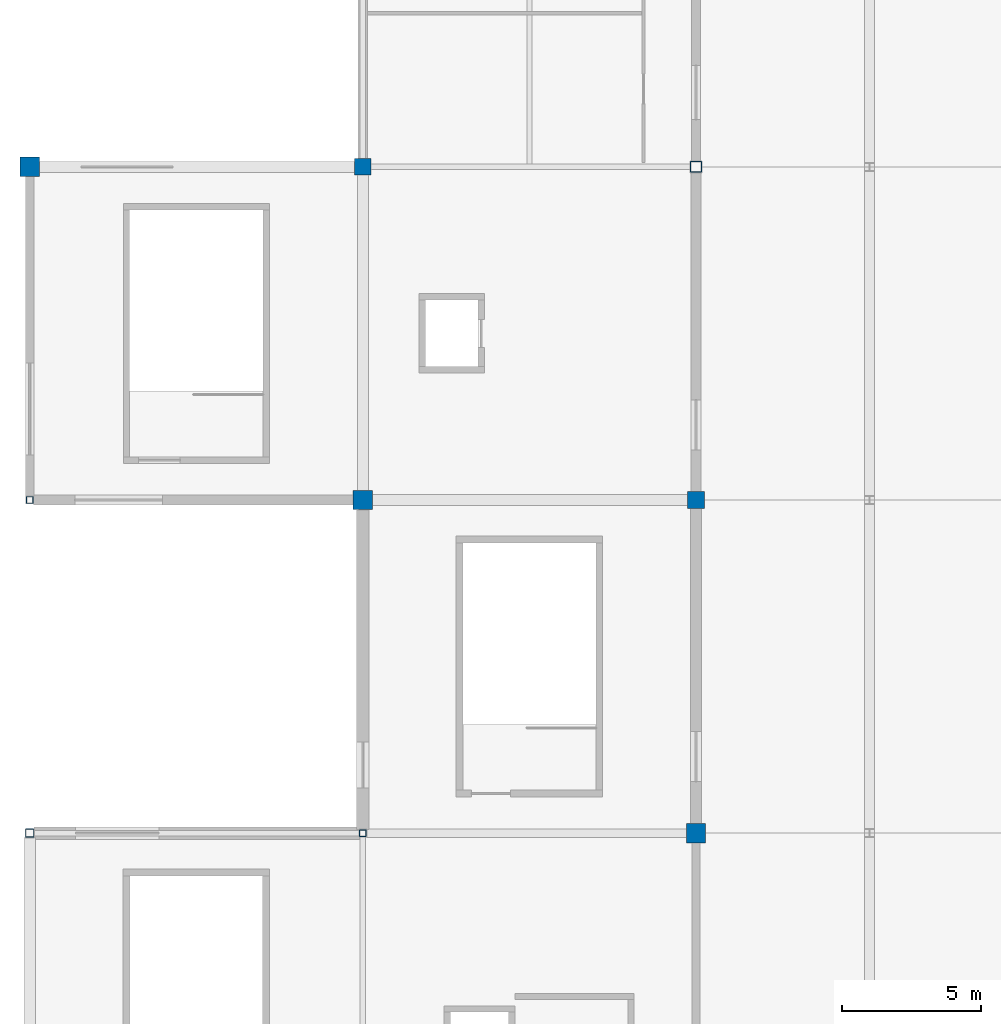
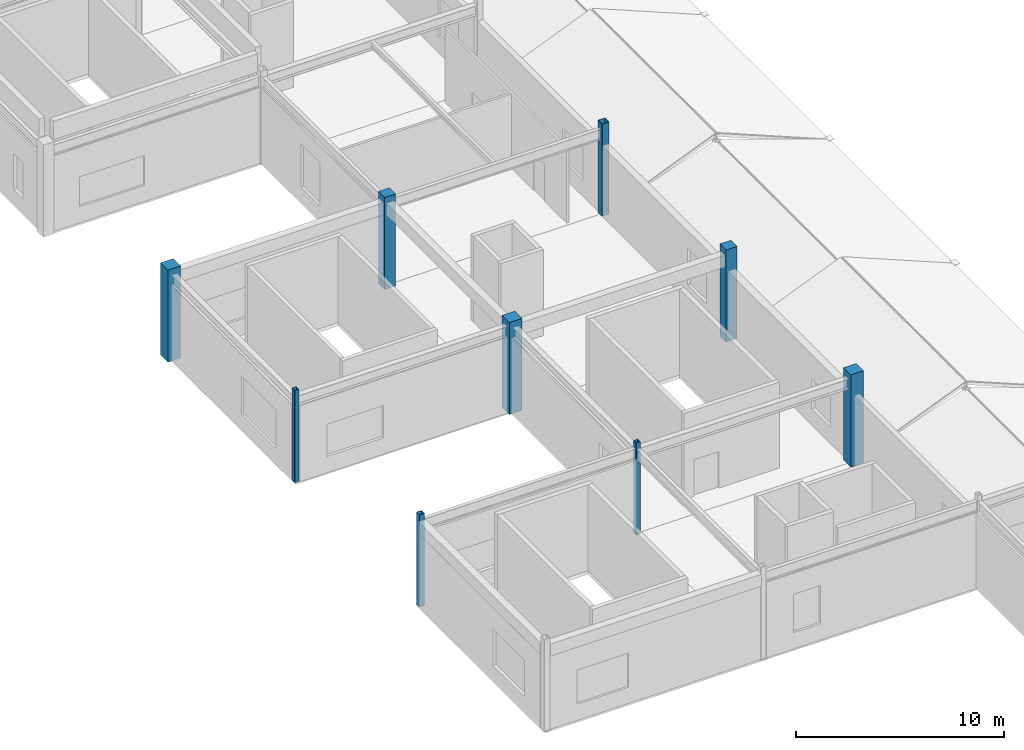
# One storey, part 3 of 76: 9 columns.
"""IFC4 building model written with IfcOpenShell, lengths in metres."""

import ifcopenshell
import ifcopenshell.guid

model = None  # the IFC model being written
_history = None  # IfcOwnerHistory: only IFC2X3 demands one
_inside = {}  # id of a spatial element -> (the spatial element, [elements in it])
_under = {}  # id of a project, library or spatial element -> (it, [spatial elements below it])
_declared = {}  # id of a project -> (the project, [libraries it declares])
_typed = {}  # id of a type object -> (the type object, [elements of that type])
_made_of = {}  # id of a material, layer set ... -> (it, [elements and type objects made of it])


def new_model(schema):
    """Start an empty IFC model of exactly this schema.

    Asked for "IFC4X3", IfcOpenShell would pick the latest addendum, in which some entities
    have other attributes; the version numbers below select the first issue.
    IFC2X3 requires an IfcOwnerHistory on every rooted entity: one is made here for all.
    """
    global model, _history
    if schema == "IFC4X3":
        model = ifcopenshell.file(schema_version=(4, 3, 0, 0))
    else:
        model = ifcopenshell.file(schema=schema)
    _inside.clear()
    _under.clear()
    _declared.clear()
    _typed.clear()
    _made_of.clear()
    _history = None
    if model.schema == "IFC2X3":
        org = make("IfcOrganization", Name="unknown")
        user = make(
            "IfcPersonAndOrganization",
            ThePerson=make("IfcPerson", FamilyName="unknown"),
            TheOrganization=org,
        )
        app = make(
            "IfcApplication",
            ApplicationDeveloper=org,
            Version="unknown",
            ApplicationFullName="unknown",
            ApplicationIdentifier="unknown",
        )
        _history = make(
            "IfcOwnerHistory",
            OwningUser=user,
            OwningApplication=app,
            ChangeAction="ADDED",
            CreationDate=0,
        )
    return model


def make(cls, **values):
    """One entity of the class cls with the attributes given. An attribute that is None is left unset."""
    return model.create_entity(
        cls, **{name: value for name, value in values.items() if value is not None}
    )


def rooted(cls, **values):
    """An entity with a GlobalId (a new one), such as an element, a storey or a relation."""
    return make(cls, GlobalId=ifcopenshell.guid.new(), OwnerHistory=_history, **values)


def si_unit(unit_type, name, prefix=None):
    """IfcSIUnit, for example si_unit("LENGTHUNIT", "METRE", prefix="MILLI")."""
    return make("IfcSIUnit", UnitType=unit_type, Prefix=prefix, Name=name)


def assignment(units):
    """IfcUnitAssignment: the units of a project."""
    return None if units is None else make("IfcUnitAssignment", Units=units)


def point(xyz):
    """IfcCartesianPoint."""
    return None if xyz is None else make("IfcCartesianPoint", Coordinates=xyz)


def direction(xyz):
    """IfcDirection."""
    return None if xyz is None else make("IfcDirection", DirectionRatios=xyz)


def frame(location, z_axis=None, x_axis=None):
    """IfcAxis2Placement3D, a coordinate frame: its origin and axes. An axis left out is left unset."""
    return make(
        "IfcAxis2Placement3D",
        Location=point(location),
        Axis=direction(z_axis),
        RefDirection=direction(x_axis),
    )


def frame_2d(location, x_axis=None):
    """IfcAxis2Placement2D, a coordinate frame in the plane: its origin and x axis."""
    return make(
        "IfcAxis2Placement2D", Location=point(location), RefDirection=direction(x_axis)
    )


def origin():
    """The frame at (0, 0, 0) with its axes left unset."""
    return frame((0.0, 0.0, 0.0))


def origin_2d():
    """The frame at (0, 0) in the plane with its x axis left unset."""
    return frame_2d((0.0, 0.0))


def place(relative_to, where):
    """IfcLocalPlacement: puts the frame where relative to a parent placement (None: the world)."""
    return make(
        "IfcLocalPlacement", PlacementRelTo=relative_to, RelativePlacement=where
    )


def context(
    kind, dimensions, precision=None, world=None, true_north=None, identifier=None
):
    """IfcGeometricRepresentationContext, for example the 3D "Model" context."""
    return make(
        "IfcGeometricRepresentationContext",
        ContextIdentifier=identifier,
        ContextType=kind,
        CoordinateSpaceDimension=dimensions,
        Precision=precision,
        WorldCoordinateSystem=world,
        TrueNorth=true_north,
    )


def subcontext(parent, identifier, kind, view, scale=None):
    """IfcGeometricRepresentationSubContext, for example "Body" below "Model"."""
    return make(
        "IfcGeometricRepresentationSubContext",
        ContextIdentifier=identifier,
        ContextType=kind,
        ParentContext=parent,
        TargetScale=scale,
        TargetView=view,
    )


def project(units=None, contexts=None):
    """IfcProject with its units and contexts."""
    return rooted(
        "IfcProject",
        Name="project",
        RepresentationContexts=contexts,
        UnitsInContext=assignment(units),
    )


def spatial(cls, under=None, at=None, **own):
    """A site, building, storey or space (cls), placed at a placement, below another one or the project."""
    s = rooted(cls, ObjectPlacement=at, **own)
    if under is not None:
        _under.setdefault(under.id(), (under, []))[1].append(s)
    return s


def profile(cls, at=None, kind="AREA", **sizes):
    """A parametric profile (cls). Its sizes go by their IFC names, for example OverallWidth=200.0."""
    return make(cls, ProfileType=kind, Position=at, **sizes)


def rectangle(**sizes):
    """IfcRectangleProfileDef."""
    return profile("IfcRectangleProfileDef", **sizes)


def hollow_rectangle(**sizes):
    """IfcRectangleHollowProfileDef."""
    return profile("IfcRectangleHollowProfileDef", **sizes)


def extrude(swept, where, along, depth):
    """IfcExtrudedAreaSolid: the profile swept, set in the frame where, extruded along a direction by depth."""
    return make(
        "IfcExtrudedAreaSolid",
        SweptArea=swept,
        Position=where,
        ExtrudedDirection=direction(along),
        Depth=depth,
    )


def shape(context_of_items, identifier, shape_type, items):
    """IfcShapeRepresentation: the items that make up one representation, for example the "Body"."""
    return make(
        "IfcShapeRepresentation",
        ContextOfItems=context_of_items,
        RepresentationIdentifier=identifier,
        RepresentationType=shape_type,
        Items=items,
    )


def material(Name=None, Category=None):
    """IfcMaterial."""
    return make("IfcMaterial", Name=Name, Category=Category)


def material_profile(
    of_material, cross_section, Name=None, Category=None, Priority=None
):
    """IfcMaterialProfile: a cross section and its material."""
    return make(
        "IfcMaterialProfile",
        Name=Name,
        Material=of_material,
        Profile=cross_section,
        Priority=Priority,
        Category=Category,
    )


def profile_set(profiles, Name=None, composite=None):
    """IfcMaterialProfileSet."""
    return make(
        "IfcMaterialProfileSet",
        Name=Name,
        MaterialProfiles=profiles,
        CompositeProfile=composite,
    )


def made_of(thing, what):
    """Note that an element or type object is made of a material, layer set ...; save() writes the relation."""
    if what is not None:
        _made_of.setdefault(what.id(), (what, []))[1].append(thing)
    return thing


def type_object(cls, material=None, **own):
    """A type object (cls), such as IfcWallType, which elements share."""
    return made_of(rooted(cls, **own), material)


def element(
    cls,
    number,
    at=None,
    inside=None,
    cuts=None,
    type_object=None,
    material=None,
    context=None,
    identifier="Body",
    shape_type=None,
    held_by="IfcProductDefinitionShape",
    body=None,
    shapes=None,
    **own,
):
    """One element of the class cls, such as IfcWall. Its Tag is "e" and its number.

    at: its placement. inside: the storey or other place that contains it. cuts: it is an
    opening in that element (IfcRelVoidsElement). A single representation is given by context,
    identifier, shape_type and body (its items); several are given by shapes. held_by: the class
    of the entity that holds the representations. save() writes the other relations.
    """
    e = rooted(cls, Tag="e%d" % number, ObjectPlacement=at, **own)
    if body is not None:
        shapes = [shape(context, identifier, shape_type, body)]
    if shapes is not None:
        e.Representation = make(held_by, Representations=shapes)
    if inside is not None:
        _inside.setdefault(inside.id(), (inside, []))[1].append(e)
    if cuts is not None:
        rooted(
            "IfcRelVoidsElement", RelatingBuildingElement=cuts, RelatedOpeningElement=e
        )
    if type_object is not None:
        _typed.setdefault(type_object.id(), (type_object, []))[1].append(e)
    return made_of(e, material)


def aggregate(whole, parts):
    """IfcRelAggregates: a whole, such as a stair, and the parts it consists of."""
    return rooted("IfcRelAggregates", RelatingObject=whole, RelatedObjects=parts)


def save(model, path):
    """Write the relations noted so far, then the file.

    IfcRelAggregates (storeys below a building ...), IfcRelContainedInSpatialStructure (elements
    in a storey), IfcRelDefinesByType, IfcRelAssociatesMaterial and IfcRelDeclares: one each for
    every whole, place, type object, material and project.
    """
    for whole, parts in _under.values():
        aggregate(whole, parts)
    for where, things in _inside.values():
        rooted(
            "IfcRelContainedInSpatialStructure",
            RelatedElements=things,
            RelatingStructure=where,
        )
    for kind, things in _typed.values():
        rooted("IfcRelDefinesByType", RelatedObjects=things, RelatingType=kind)
    for what, things in _made_of.values():
        rooted("IfcRelAssociatesMaterial", RelatedObjects=things, RelatingMaterial=what)
    for by, libraries in _declared.values():
        rooted("IfcRelDeclares", RelatingContext=by, RelatedDefinitions=libraries)
    model.write(path)


model = new_model("IFC4")

# Units and contexts
model_context = context("Model", 3, precision=1e-05, world=origin(), true_north=direction((0.0, 1.0)))
body_context = subcontext(model_context, "Body", "Model", "MODEL_VIEW")
ifc_project = project(units=[si_unit("LENGTHUNIT", "METRE"), si_unit("AREAUNIT", "SQUARE_METRE"), si_unit("VOLUMEUNIT", "CUBIC_METRE"), si_unit("PLANEANGLEUNIT", "RADIAN"), si_unit("MASSUNIT", "GRAM", prefix="KILO")], contexts=[model_context])

# Site, building, storey
site_placement = place(None, origin())
site = spatial("IfcSite", under=ifc_project, at=site_placement, CompositionType="ELEMENT")
building_placement = place(site_placement, origin())
building = spatial("IfcBuilding", under=site, at=building_placement, Name="Kazenohara Klinker Stadium", CompositionType="ELEMENT")
storey_placement = place(building_placement, frame((0.0, 0.0, 25.800048828125)))
storey = spatial("IfcBuildingStorey", under=building, at=storey_placement, Name="L05", CompositionType="ELEMENT", Elevation=25.800048828125)

# Columns
ifc_material_1 = material(Name="Concrete C40/50", Category="concrete")
ifc_material_profile_1 = material_profile(ifc_material_1, rectangle(XDim=0.699951171875, YDim=0.699951171875, at=origin_2d()), Name="RC-COL-700x700")
ifc_profile_set_1 = profile_set([ifc_material_profile_1], Name="Concrete C40/50")
column_type_1 = type_object("IfcColumnType", Name="COL-RC06", PredefinedType="COLUMN", material=ifc_profile_set_1)
for number, where, z_axis, x_axis, name in (
    (1, (0.0, 72.0, 0.0), (0.0, 0.0, 1.0), (1.0, 0.0, 0.0), "Column C06 L05 1/G"),
    (2, (12.0, 60.0, 0.0), (0.0, 0.0, 1.0), (1.0, 0.0, 0.0), "Column C06 L05 2/F"),
    (3, (24.0, 48.0, 0.0), (0.0, 0.0, 1.0), (1.0, 0.0, 0.0), "Column C06 L05 3/E"),
):
    element("IfcColumn", number, at=place(storey_placement, frame(where, z_axis=z_axis, x_axis=x_axis)), inside=storey, type_object=column_type_1, Name=name, PredefinedType="COLUMN", context=body_context, shape_type="SweptSolid", body=[
        extrude(rectangle(XDim=0.699951171875, YDim=0.699951171875, at=origin_2d()), origin(), (0.0, 0.0, 1.0), 5.39990234375),
    ])
ifc_material_profile_2 = material_profile(ifc_material_1, rectangle(XDim=0.60009765625, YDim=0.60009765625, at=origin_2d()), Name="RC-COL-600x600")
ifc_profile_set_2 = profile_set([ifc_material_profile_2], Name="Concrete C40/50")
column_type_2 = type_object("IfcColumnType", Name="COL-RC07", PredefinedType="COLUMN", material=ifc_profile_set_2)
for number, where, z_axis, x_axis, name in (
    (4, (12.0, 72.0, 0.0), (0.0, 0.0, 1.0), (1.0, 0.0, 0.0), "Column C07 L05 2/G"),
    (5, (24.0, 60.0, 0.0), (0.0, 0.0, 1.0), (1.0, 0.0, 0.0), "Column C07 L05 3/F"),
):
    element("IfcColumn", number, at=place(storey_placement, frame(where, z_axis=z_axis, x_axis=x_axis)), inside=storey, type_object=column_type_2, Name=name, PredefinedType="COLUMN", context=body_context, shape_type="SweptSolid", body=[
        extrude(rectangle(XDim=0.60009765625, YDim=0.60009765625, at=origin_2d()), origin(), (0.0, 0.0, 1.0), 5.39990234375),
    ])
ifc_material_2 = material(Name="Steel S355", Category="steel")
ifc_material_profile_3 = material_profile(ifc_material_2, hollow_rectangle(XDim=0.39990234375, YDim=0.39990234375, WallThickness=0.01611328125, InnerFilletRadius=0.01611328125, OuterFilletRadius=0.031982421875, at=origin_2d()), Name="SHS-400x400x16")
ifc_profile_set_3 = profile_set([ifc_material_profile_3], Name="Steel S355")
column_type_3 = type_object("IfcColumnType", Name="COL-ST01", PredefinedType="COLUMN", material=ifc_profile_set_3)
column_1_placement = place(storey_placement, frame((24.0, 72.0, 0.0), z_axis=(0.0, 0.0, 1.0), x_axis=(1.0, 0.0, 0.0)))
element("IfcColumn", 6, at=column_1_placement, inside=storey, type_object=column_type_3, Name="Column SC01 L05 3/G", PredefinedType="COLUMN", context=body_context, shape_type="SweptSolid", body=[
    extrude(hollow_rectangle(XDim=0.39990234375, YDim=0.39990234375, WallThickness=0.01611328125, InnerFilletRadius=0.01611328125, OuterFilletRadius=0.031982421875, at=origin_2d()), origin(), (0.0, 0.0, 1.0), 5.39990234375),
])
ifc_material_profile_4 = material_profile(ifc_material_2, hollow_rectangle(XDim=0.300048828125, YDim=0.300048828125, WallThickness=0.011962890625, InnerFilletRadius=0.011962890625, OuterFilletRadius=0.02392578125, at=origin_2d()), Name="SHS-300x300x12")
ifc_profile_set_4 = profile_set([ifc_material_profile_4], Name="Steel S355")
column_type_4 = type_object("IfcColumnType", Name="COL-ST03", PredefinedType="COLUMN", material=ifc_profile_set_4)
column_2_placement = place(storey_placement, frame((0.0, 48.0, 0.0), z_axis=(0.0, 0.0, 1.0), x_axis=(1.0, 0.0, 0.0)))
element("IfcColumn", 7, at=column_2_placement, inside=storey, type_object=column_type_4, Name="Column SC03 L05 1/E", PredefinedType="COLUMN", context=body_context, shape_type="SweptSolid", body=[
    extrude(hollow_rectangle(XDim=0.300048828125, YDim=0.300048828125, WallThickness=0.011962890625, InnerFilletRadius=0.011962890625, OuterFilletRadius=0.02392578125, at=origin_2d()), origin(), (0.0, 0.0, 1.0), 5.39990234375),
])
ifc_material_profile_5 = material_profile(ifc_material_2, hollow_rectangle(XDim=0.25, YDim=0.25, WallThickness=0.011962890625, InnerFilletRadius=0.011962890625, OuterFilletRadius=0.02392578125, at=origin_2d()), Name="SHS-250x250x12")
ifc_profile_set_5 = profile_set([ifc_material_profile_5], Name="Steel S355")
column_type_5 = type_object("IfcColumnType", Name="COL-ST04", PredefinedType="COLUMN", material=ifc_profile_set_5)
for number, where, z_axis, x_axis, name in (
    (8, (0.0, 60.0, 0.0), (0.0, 0.0, 1.0), (1.0, 0.0, 0.0), "Column SC04 L05 1/F"),
    (9, (12.0, 48.0, 0.0), (0.0, 0.0, 1.0), (1.0, 0.0, 0.0), "Column SC04 L05 2/E"),
):
    element("IfcColumn", number, at=place(storey_placement, frame(where, z_axis=z_axis, x_axis=x_axis)), inside=storey, type_object=column_type_5, Name=name, PredefinedType="COLUMN", context=body_context, shape_type="SweptSolid", body=[
        extrude(hollow_rectangle(XDim=0.25, YDim=0.25, WallThickness=0.011962890625, InnerFilletRadius=0.011962890625, OuterFilletRadius=0.02392578125, at=origin_2d()), origin(), (0.0, 0.0, 1.0), 5.39990234375),
    ])

save(model, "model.ifc")
